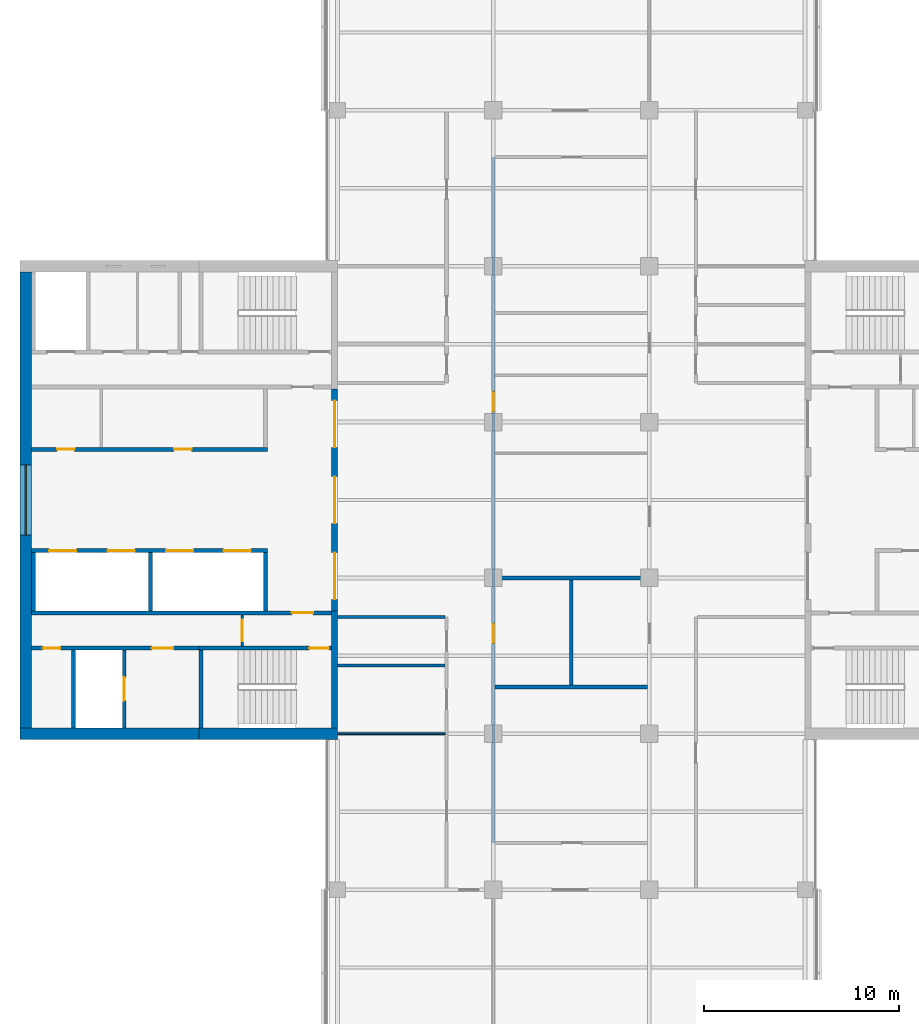
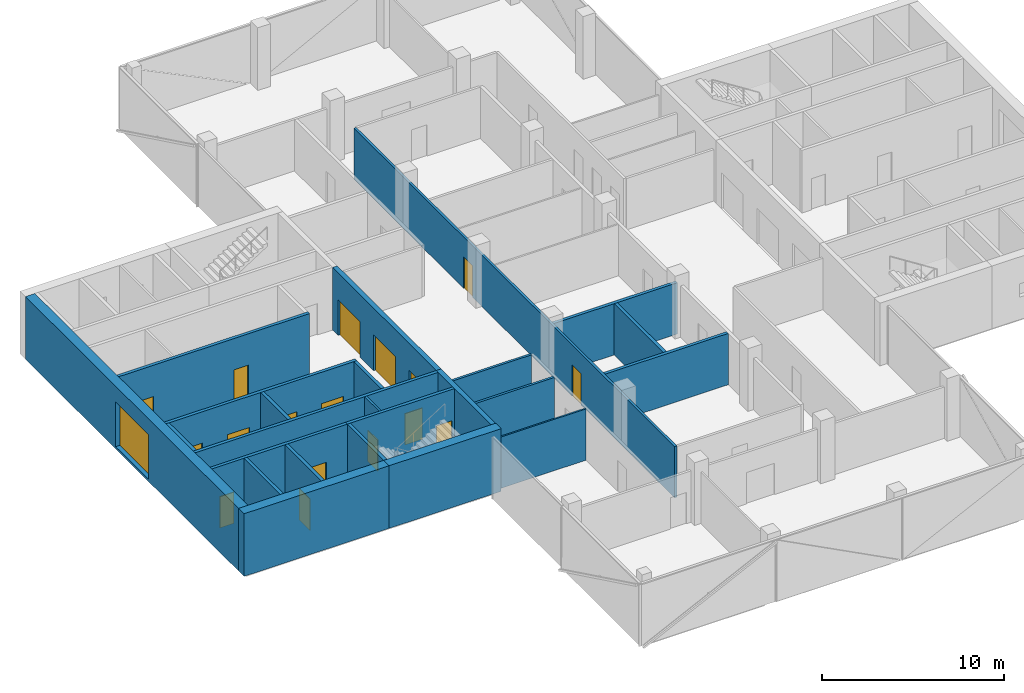
# One storey, part 9 of 15: 24 walls, 17 doors, 1 window, 18 openings.
"""IFC4 building model written with IfcOpenShell, lengths in metres."""

from ifc_helpers import new_model, si_unit, direction, frame, frame_2d, origin, place, context, subcontext, project, spatial, rectangle, extrude, material, layer, layer_set, constituent, constituent_set, type_object, element, fill, save


model = new_model("IFC4")

# Units and contexts
model_context = context("Model", 3, precision=1e-05, world=origin(), true_north=direction((0.0, 1.0)))
body_context = subcontext(model_context, "Body", "Model", "MODEL_VIEW")
ifc_project = project(units=[si_unit("LENGTHUNIT", "METRE"), si_unit("AREAUNIT", "SQUARE_METRE"), si_unit("VOLUMEUNIT", "CUBIC_METRE"), si_unit("PLANEANGLEUNIT", "RADIAN"), si_unit("MASSUNIT", "GRAM", prefix="KILO")], contexts=[model_context])

# Site, building, storey
site_placement = place(None, origin())
site = spatial("IfcSite", under=ifc_project, at=site_placement, CompositionType="ELEMENT")
building_placement = place(site_placement, origin())
building = spatial("IfcBuilding", under=site, at=building_placement, Name="Crosswind Convention Tower", CompositionType="ELEMENT")
storey_placement = place(building_placement, frame((0.0, 0.0, 229.300048828125)))
storey = spatial("IfcBuildingStorey", under=building, at=storey_placement, Name="L49", CompositionType="ELEMENT", Elevation=229.300048828125)

# Walls
ifc_material_1 = material(Name="Concrete blockwork", Category="masonry")
ifc_layer_1 = layer(ifc_material_1, 0.199951171875)
ifc_layer_set_1 = layer_set([ifc_layer_1], Name="COMPARTMENT WALL 200 BLOCKWORK")
wall_type_1 = type_object("IfcWallType", Name="COMPARTMENT WALL 200 BLOCKWORK", PredefinedType="SOLIDWALL", material=ifc_layer_set_1)
wall_1_placement = place(storey_placement, frame((125.0, 90.5, 0.0), z_axis=(0.0, 0.0, 1.0), x_axis=(0.0, 1.0, 0.0)))
element("IfcWall", 1, at=wall_1_placement, inside=storey, type_object=wall_type_1, Name="Compartment wall WT42", PredefinedType="SOLIDWALL", context=body_context, shape_type="SweptSolid", body=[
    extrude(rectangle(XDim=5.39990234375, YDim=0.199951171875, at=frame_2d((2.699951171875, 0.0))), origin(), (0.0, 0.0, 1.0), 3.439697265625),
])
for number, where, z_axis, x_axis, name in (
    (2, (121.074951171875, 90.39990234375, 0.0), (0.0, 0.0, 1.0), (1.0, 0.0, 0.0), "Compartment wall WT42"),
    (3, (121.074951171875, 96.0, 0.0), (0.0, 0.0, 1.0), (1.0, 0.0, 0.0), "Compartment wall WT42"),
):
    element("IfcWall", number, at=place(storey_placement, frame(where, z_axis=z_axis, x_axis=x_axis)), inside=storey, type_object=wall_type_1, Name=name, PredefinedType="SOLIDWALL", context=body_context, shape_type="SweptSolid", body=[
        extrude(rectangle(XDim=7.824951171875, YDim=0.199951171875, at=frame_2d((3.91259765625, 0.0))), origin(), (0.0, 0.0, 1.0), 3.439697265625),
    ])

# Wall, openings, doors
ifc_material_2 = material(Name="Concrete C50/60", Category="concrete")
ifc_layer_2 = layer(ifc_material_2, 0.300048828125)
ifc_layer_set_2 = layer_set([ifc_layer_2], Name="Concrete C50/60")
wall_type_2 = type_object("IfcWallType", Name="Concrete inner core wall 300", PredefinedType="SHEAR", material=ifc_layer_set_2)
wall_2_placement = place(storey_placement, frame((112.85009765625, 105.699951171875, 0.0), z_axis=(0.0, 0.0, 1.0), x_axis=(0.0, -1.0, 0.0)))
wall_2 = element("IfcWall", 4, at=wall_2_placement, inside=storey, type_object=wall_type_2, Name="Wall SCR W L49", PredefinedType="SHEAR", context=body_context, shape_type="SweptSolid", body=[
    extrude(rectangle(XDim=11.39990234375, YDim=0.300048828125, at=frame_2d((5.699951171875, 0.0))), origin(), (0.0, 0.0, 1.0), 4.199951171875),
])
opening_1_placement = place(wall_2_placement, frame((0.60009765625, 0.0, 0.0)))
opening_1 = element("IfcOpeningElement", 5, at=opening_1_placement, cuts=wall_2, Name="Opening D100", PredefinedType="OPENING", context=body_context, shape_type="SweptSolid", body=[
    extrude(rectangle(XDim=2.39990234375, YDim=2.39990234375, at=frame_2d((1.199951171875, 1.199951171875))), frame((0.0, 0.159912109375, 0.0), z_axis=(0.0, -1.0, 0.0), x_axis=(1.0, 0.0, 0.0)), (0.0, 0.0, 1.0), 0.320068359375),
])
opening_2_placement = place(wall_2_placement, frame((4.5, 0.0, 0.0)))
opening_2 = element("IfcOpeningElement", 6, at=opening_2_placement, cuts=wall_2, Name="Opening D100", PredefinedType="OPENING", context=body_context, shape_type="SweptSolid", body=[
    extrude(rectangle(XDim=2.39990234375, YDim=2.39990234375, at=frame_2d((1.199951171875, 1.199951171875))), frame((0.0, 0.159912109375, 0.0), z_axis=(0.0, -1.0, 0.0), x_axis=(1.0, 0.0, 0.0)), (0.0, 0.0, 1.0), 0.320068359375),
])
opening_3_placement = place(wall_2_placement, frame((8.39990234375, 0.0, 0.0)))
opening_3 = element("IfcOpeningElement", 7, at=opening_3_placement, cuts=wall_2, Name="Opening D100", PredefinedType="OPENING", context=body_context, shape_type="SweptSolid", body=[
    extrude(rectangle(XDim=2.39990234375, YDim=2.39990234375, at=frame_2d((1.199951171875, 1.199951171875))), frame((0.0, 0.159912109375, 0.0), z_axis=(0.0, -1.0, 0.0), x_axis=(1.0, 0.0, 0.0)), (0.0, 0.0, 1.0), 0.320068359375),
])
ifc_material_3 = material(Name="Steel fire door with glazed vision panels", Category="steel")
door_type_1 = type_object("IfcDoorType", Name="Fire-rated double door 2400x2400", OperationType="DOUBLE_DOOR_SINGLE_SWING", PredefinedType="DOOR", material=ifc_material_3)
door_1_placement = place(opening_1_placement, origin())
door_1 = element("IfcDoor", 8, at=door_1_placement, inside=storey, type_object=door_type_1, Name="Lobby door 1 L49", ObjectType="D100", OperationType="DOUBLE_DOOR_SINGLE_SWING", OverallHeight=2.39990234375, OverallWidth=2.39990234375, PredefinedType="DOOR", context=body_context, shape_type="SweptSolid", body=[
    extrude(rectangle(XDim=2.39990234375, YDim=2.39990234375, at=frame_2d((1.199951171875, 1.199951171875))), frame((0.0, 0.02490234375, 0.0), z_axis=(0.0, -1.0, 0.0), x_axis=(1.0, 0.0, 0.0)), (0.0, 0.0, 1.0), 0.050048828125),
])
fill(opening_1, door_1)
door_2_placement = place(opening_2_placement, origin())
door_2 = element("IfcDoor", 9, at=door_2_placement, inside=storey, type_object=door_type_1, Name="Lobby door 2 L49", ObjectType="D100", OperationType="DOUBLE_DOOR_SINGLE_SWING", OverallHeight=2.39990234375, OverallWidth=2.39990234375, PredefinedType="DOOR", context=body_context, shape_type="SweptSolid", body=[
    extrude(rectangle(XDim=2.39990234375, YDim=2.39990234375, at=frame_2d((1.199951171875, 1.199951171875))), frame((0.0, 0.02490234375, 0.0), z_axis=(0.0, -1.0, 0.0), x_axis=(1.0, 0.0, 0.0)), (0.0, 0.0, 1.0), 0.050048828125),
])
fill(opening_2, door_2)
door_3_placement = place(opening_3_placement, origin())
door_3 = element("IfcDoor", 10, at=door_3_placement, inside=storey, type_object=door_type_1, Name="Lobby door 3 L49", ObjectType="D100", OperationType="DOUBLE_DOOR_SINGLE_SWING", OverallHeight=2.39990234375, OverallWidth=2.39990234375, PredefinedType="DOOR", context=body_context, shape_type="SweptSolid", body=[
    extrude(rectangle(XDim=2.39990234375, YDim=2.39990234375, at=frame_2d((1.199951171875, 1.199951171875))), frame((0.0, 0.02490234375, 0.0), z_axis=(0.0, -1.0, 0.0), x_axis=(1.0, 0.0, 0.0)), (0.0, 0.0, 1.0), 0.050048828125),
])
fill(opening_3, door_3)

# Walls
wall_3_placement = place(storey_placement, frame((112.85009765625, 94.300048828125, 0.0), z_axis=(0.0, 0.0, 1.0), x_axis=(0.0, -1.0, 0.0)))
element("IfcWall", 11, at=wall_3_placement, inside=storey, type_object=wall_type_2, Name="Wall EP W L49", PredefinedType="SHEAR", context=body_context, shape_type="SweptSolid", body=[
    extrude(rectangle(XDim=6.0, YDim=0.300048828125, at=frame_2d((3.0, 0.0))), origin(), (0.0, 0.0, 1.0), 4.199951171875),
])
ifc_layer_3 = layer(ifc_material_2, 0.199951171875)
ifc_layer_set_3 = layer_set([ifc_layer_3], Name="Concrete C50/60")
wall_type_3 = type_object("IfcWallType", Name="Concrete shaft and stair wall 200", PredefinedType="SHEAR", material=ifc_layer_set_3)
for number, where, z_axis, x_axis, name in (
    (12, (109.300048828125, 97.300048828125, 0.0), (0.0, 0.0, 1.0), (0.0, -1.0, 0.0), "Wall RPEND W L49"),
    (13, (103.39990234375, 97.300048828125, 0.0), (0.0, 0.0, 1.0), (0.0, -1.0, 0.0), "Wall RPSEP W L49"),
    (14, (97.39990234375, 97.300048828125, 0.0), (0.0, 0.0, 1.0), (0.0, -1.0, 0.0), "Wall RPEAST W L49"),
):
    element("IfcWall", number, at=place(storey_placement, frame(where, z_axis=z_axis, x_axis=x_axis)), inside=storey, type_object=wall_type_3, Name=name, PredefinedType="SHEAR", context=body_context, shape_type="SweptSolid", body=[
        extrude(rectangle(XDim=3.0, YDim=0.199951171875, at=frame_2d((1.5, 0.0))), origin(), (0.0, 0.0, 1.0), 4.199951171875),
    ])

# Wall, openings, doors
wall_4_placement = place(storey_placement, frame((109.39990234375, 97.39990234375, 0.0), z_axis=(0.0, 0.0, 1.0), x_axis=(-1.0, 0.0, 0.0)))
wall_4 = element("IfcWall", 15, at=wall_4_placement, inside=storey, type_object=wall_type_3, Name="Wall RPFRONT W L49", PredefinedType="SHEAR", context=body_context, shape_type="SweptSolid", body=[
    extrude(rectangle(XDim=12.099853515625, YDim=0.199951171875, at=frame_2d((6.0498046875, 0.0))), origin(), (0.0, 0.0, 1.0), 4.199951171875),
])
opening_4_placement = place(wall_4_placement, frame((0.85009765625, 0.0, 0.0)))
opening_4 = element("IfcOpeningElement", 16, at=opening_4_placement, cuts=wall_4, Name="Opening LD2", PredefinedType="OPENING", context=body_context, shape_type="SweptSolid", body=[
    extrude(rectangle(XDim=1.39990234375, YDim=2.10009765625, at=frame_2d((0.699951171875, 1.050048828125))), frame((0.0, 0.10986328125, 0.0), z_axis=(0.0, -1.0, 0.0), x_axis=(1.0, 0.0, 0.0)), (0.0, 0.0, 1.0), 0.219970703125),
])
opening_5_placement = place(wall_4_placement, frame((3.800048828125, 0.0, 0.0)))
opening_5 = element("IfcOpeningElement", 17, at=opening_5_placement, cuts=wall_4, Name="Opening LD2", PredefinedType="OPENING", context=body_context, shape_type="SweptSolid", body=[
    extrude(rectangle(XDim=1.39990234375, YDim=2.10009765625, at=frame_2d((0.699951171875, 1.050048828125))), frame((0.0, 0.10986328125, 0.0), z_axis=(0.0, -1.0, 0.0), x_axis=(1.0, 0.0, 0.0)), (0.0, 0.0, 1.0), 0.219970703125),
])
opening_6_placement = place(wall_4_placement, frame((6.800048828125, 0.0, 0.0)))
opening_6 = element("IfcOpeningElement", 18, at=opening_6_placement, cuts=wall_4, Name="Opening LD2", PredefinedType="OPENING", context=body_context, shape_type="SweptSolid", body=[
    extrude(rectangle(XDim=1.39990234375, YDim=2.10009765625, at=frame_2d((0.699951171875, 1.050048828125))), frame((0.0, 0.10986328125, 0.0), z_axis=(0.0, -1.0, 0.0), x_axis=(1.0, 0.0, 0.0)), (0.0, 0.0, 1.0), 0.219970703125),
])
opening_7_placement = place(wall_4_placement, frame((9.800048828125, 0.0, 0.0)))
opening_7 = element("IfcOpeningElement", 19, at=opening_7_placement, cuts=wall_4, Name="Opening LD2", PredefinedType="OPENING", context=body_context, shape_type="SweptSolid", body=[
    extrude(rectangle(XDim=1.39990234375, YDim=2.10009765625, at=frame_2d((0.699951171875, 1.050048828125))), frame((0.0, 0.10986328125, 0.0), z_axis=(0.0, -1.0, 0.0), x_axis=(1.0, 0.0, 0.0)), (0.0, 0.0, 1.0), 0.219970703125),
])
ifc_material_4 = material(Name="Stainless steel", Category="steel")
door_type_2 = type_object("IfcDoorType", Name="Lift landing door 1400x2100", OperationType="DOUBLE_DOOR_SLIDING", PredefinedType="DOOR", material=ifc_material_4)
door_4_placement = place(opening_4_placement, origin())
door_4 = element("IfcDoor", 20, at=door_4_placement, inside=storey, type_object=door_type_2, Name="Landing door HR1 L49", ObjectType="LD2", OperationType="DOUBLE_DOOR_SLIDING", OverallHeight=2.10009765625, OverallWidth=1.39990234375, PredefinedType="DOOR", context=body_context, shape_type="SweptSolid", body=[
    extrude(rectangle(XDim=1.39990234375, YDim=2.10009765625, at=frame_2d((0.699951171875, 1.050048828125))), frame((0.0, 0.02490234375, 0.0), z_axis=(0.0, -1.0, 0.0), x_axis=(1.0, 0.0, 0.0)), (0.0, 0.0, 1.0), 0.050048828125),
])
fill(opening_4, door_4)
door_5_placement = place(opening_5_placement, origin())
door_5 = element("IfcDoor", 21, at=door_5_placement, inside=storey, type_object=door_type_2, Name="Landing door HR2 L49", ObjectType="LD2", OperationType="DOUBLE_DOOR_SLIDING", OverallHeight=2.10009765625, OverallWidth=1.39990234375, PredefinedType="DOOR", context=body_context, shape_type="SweptSolid", body=[
    extrude(rectangle(XDim=1.39990234375, YDim=2.10009765625, at=frame_2d((0.699951171875, 1.050048828125))), frame((0.0, 0.02490234375, 0.0), z_axis=(0.0, -1.0, 0.0), x_axis=(1.0, 0.0, 0.0)), (0.0, 0.0, 1.0), 0.050048828125),
])
fill(opening_5, door_5)
door_6_placement = place(opening_6_placement, origin())
door_6 = element("IfcDoor", 22, at=door_6_placement, inside=storey, type_object=door_type_2, Name="Landing door HR3 L49", ObjectType="LD2", OperationType="DOUBLE_DOOR_SLIDING", OverallHeight=2.10009765625, OverallWidth=1.39990234375, PredefinedType="DOOR", context=body_context, shape_type="SweptSolid", body=[
    extrude(rectangle(XDim=1.39990234375, YDim=2.10009765625, at=frame_2d((0.699951171875, 1.050048828125))), frame((0.0, 0.02490234375, 0.0), z_axis=(0.0, -1.0, 0.0), x_axis=(1.0, 0.0, 0.0)), (0.0, 0.0, 1.0), 0.050048828125),
])
fill(opening_6, door_6)
door_7_placement = place(opening_7_placement, origin())
door_7 = element("IfcDoor", 23, at=door_7_placement, inside=storey, type_object=door_type_2, Name="Landing door HR4 L49", ObjectType="LD2", OperationType="DOUBLE_DOOR_SLIDING", OverallHeight=2.10009765625, OverallWidth=1.39990234375, PredefinedType="DOOR", context=body_context, shape_type="SweptSolid", body=[
    extrude(rectangle(XDim=1.39990234375, YDim=2.10009765625, at=frame_2d((0.699951171875, 1.050048828125))), frame((0.0, 0.02490234375, 0.0), z_axis=(0.0, -1.0, 0.0), x_axis=(1.0, 0.0, 0.0)), (0.0, 0.0, 1.0), 0.050048828125),
])
fill(opening_7, door_7)

wall_5_placement = place(storey_placement, frame((109.39990234375, 102.60009765625, 0.0), z_axis=(0.0, 0.0, 1.0), x_axis=(-1.0, 0.0, 0.0)))
wall_5 = element("IfcWall", 24, at=wall_5_placement, inside=storey, type_object=wall_type_3, Name="Wall RMFRONT W L49", PredefinedType="SHEAR", context=body_context, shape_type="SweptSolid", body=[
    extrude(rectangle(XDim=12.099853515625, YDim=0.199951171875, at=frame_2d((6.0498046875, 0.0))), origin(), (0.0, 0.0, 1.0), 4.199951171875),
])
opening_8_placement = place(wall_5_placement, frame((3.8837890625, 0.0, 0.0)))
opening_8 = element("IfcOpeningElement", 25, at=opening_8_placement, cuts=wall_5, Name="Opening D106", PredefinedType="OPENING", context=body_context, shape_type="SweptSolid", body=[
    extrude(rectangle(XDim=0.89990234375, YDim=2.10009765625, at=frame_2d((0.449951171875, 1.050048828125))), frame((0.0, 0.10986328125, 0.0), z_axis=(0.0, -1.0, 0.0), x_axis=(1.0, 0.0, 0.0)), (0.0, 0.0, 1.0), 0.219970703125),
])
opening_9_placement = place(wall_5_placement, frame((9.896240234375, 0.0, 0.0)))
opening_9 = element("IfcOpeningElement", 26, at=opening_9_placement, cuts=wall_5, Name="Opening D106", PredefinedType="OPENING", context=body_context, shape_type="SweptSolid", body=[
    extrude(rectangle(XDim=0.89990234375, YDim=2.10009765625, at=frame_2d((0.449951171875, 1.050048828125))), frame((0.0, 0.10986328125, 0.0), z_axis=(0.0, -1.0, 0.0), x_axis=(1.0, 0.0, 0.0)), (0.0, 0.0, 1.0), 0.219970703125),
])
ifc_material_5 = material(Name="Timber door", Category="wood")
door_type_3 = type_object("IfcDoorType", Name="Single leaf door 900x2100", OperationType="NOTDEFINED", PredefinedType="DOOR", material=ifc_material_5)
door_8_placement = place(opening_8_placement, frame((0.89990234375, 0.0, 0.0), z_axis=(0.0, 0.0, 1.0), x_axis=(-1.0, 0.0, 0.0)))
door_8 = element("IfcDoor", 27, at=door_8_placement, inside=storey, type_object=door_type_3, Name="Door to pantry L49", ObjectType="D106", OperationType="SINGLE_SWING_LEFT", OverallHeight=2.10009765625, OverallWidth=0.89990234375, PredefinedType="DOOR", context=body_context, shape_type="SweptSolid", body=[
    extrude(rectangle(XDim=0.89990234375, YDim=2.10009765625, at=frame_2d((0.449951171875, 1.050048828125))), frame((0.0, 0.02490234375, 0.0), z_axis=(0.0, -1.0, 0.0), x_axis=(1.0, 0.0, 0.0)), (0.0, 0.0, 1.0), 0.050048828125),
])
fill(opening_8, door_8)
door_9_placement = place(opening_9_placement, frame((0.89990234375, 0.0, 0.0), z_axis=(0.0, 0.0, 1.0), x_axis=(-1.0, 0.0, 0.0)))
door_9 = element("IfcDoor", 28, at=door_9_placement, inside=storey, type_object=door_type_3, Name="Door to telecoms room L49", ObjectType="D106", OperationType="SINGLE_SWING_LEFT", OverallHeight=2.10009765625, OverallWidth=0.89990234375, PredefinedType="DOOR", context=body_context, shape_type="SweptSolid", body=[
    extrude(rectangle(XDim=0.89990234375, YDim=2.10009765625, at=frame_2d((0.449951171875, 1.050048828125))), frame((0.0, 0.02490234375, 0.0), z_axis=(0.0, -1.0, 0.0), x_axis=(1.0, 0.0, 0.0)), (0.0, 0.0, 1.0), 0.050048828125),
])
fill(opening_9, door_9)

# Wall, opening, door
wall_6_placement = place(storey_placement, frame((112.699951171875, 94.199951171875, 0.0), z_axis=(0.0, 0.0, 1.0), x_axis=(-1.0, 0.0, 0.0)))
wall_6 = element("IfcWall", 29, at=wall_6_placement, inside=storey, type_object=wall_type_3, Name="Wall HP W L49", PredefinedType="SHEAR", context=body_context, shape_type="SweptSolid", body=[
    extrude(rectangle(XDim=15.39990234375, YDim=0.199951171875, at=frame_2d((7.699951171875, 0.0))), origin(), (0.0, 0.0, 1.0), 4.199951171875),
])
opening_10_placement = place(wall_6_placement, frame((0.949951171875, 0.0, 0.0)))
opening_10 = element("IfcOpeningElement", 30, at=opening_10_placement, cuts=wall_6, Name="Opening D104", PredefinedType="OPENING", context=body_context, shape_type="SweptSolid", body=[
    extrude(rectangle(XDim=1.10009765625, YDim=2.10009765625, at=frame_2d((0.550048828125, 1.050048828125))), frame((0.0, 0.10986328125, 0.0), z_axis=(0.0, -1.0, 0.0), x_axis=(1.0, 0.0, 0.0)), (0.0, 0.0, 1.0), 0.219970703125),
])
ifc_material_6 = material(Name="Steel fire door", Category="steel")
door_type_4 = type_object("IfcDoorType", Name="Fire-rated single door 1100x2100", OperationType="NOTDEFINED", PredefinedType="DOOR", material=ifc_material_6)
door_10_placement = place(opening_10_placement, origin())
door_10 = element("IfcDoor", 31, at=door_10_placement, inside=storey, type_object=door_type_4, Name="Corridor door L49", ObjectType="D104", OperationType="SINGLE_SWING_LEFT", OverallHeight=2.10009765625, OverallWidth=1.10009765625, PredefinedType="DOOR", context=body_context, shape_type="SweptSolid", body=[
    extrude(rectangle(XDim=1.10009765625, YDim=2.10009765625, at=frame_2d((0.550048828125, 1.050048828125))), frame((0.0, 0.02490234375, 0.0), z_axis=(0.0, -1.0, 0.0), x_axis=(1.0, 0.0, 0.0)), (0.0, 0.0, 1.0), 0.050048828125),
])
fill(opening_10, door_10)

# Wall
wall_7_placement = place(storey_placement, frame((106.0, 92.300048828125, 0.0), z_axis=(0.0, 0.0, 1.0), x_axis=(0.0, -1.0, 0.0)))
element("IfcWall", 32, at=wall_7_placement, inside=storey, type_object=wall_type_3, Name="Wall PSE W L49", PredefinedType="SHEAR", context=body_context, shape_type="SweptSolid", body=[
    extrude(rectangle(XDim=4.0, YDim=0.199951171875, at=frame_2d((2.0, 0.0))), origin(), (0.0, 0.0, 1.0), 4.199951171875),
])

# Wall, opening, door
wall_8_placement = place(storey_placement, frame((102.050048828125, 92.300048828125, 0.0), z_axis=(0.0, 0.0, 1.0), x_axis=(0.0, -1.0, 0.0)))
wall_8 = element("IfcWall", 33, at=wall_8_placement, inside=storey, type_object=wall_type_3, Name="Wall PFLW W L49", PredefinedType="SHEAR", context=body_context, shape_type="SweptSolid", body=[
    extrude(rectangle(XDim=4.0, YDim=0.199951171875, at=frame_2d((2.0, 0.0))), origin(), (0.0, 0.0, 1.0), 4.199951171875),
])
opening_11_placement = place(wall_8_placement, frame((1.39990234375, 0.0, 0.0)))
opening_11 = element("IfcOpeningElement", 34, at=opening_11_placement, cuts=wall_8, Name="Opening LD1", PredefinedType="OPENING", context=body_context, shape_type="SweptSolid", body=[
    extrude(rectangle(XDim=1.199951171875, YDim=2.10009765625, at=frame_2d((0.60009765625, 1.050048828125))), frame((0.0, 0.10986328125, 0.0), z_axis=(0.0, -1.0, 0.0), x_axis=(1.0, 0.0, 0.0)), (0.0, 0.0, 1.0), 0.219970703125),
])
door_type_5 = type_object("IfcDoorType", Name="Lift landing door 1200x2100", OperationType="DOUBLE_DOOR_SLIDING", PredefinedType="DOOR", material=ifc_material_4)
door_11_placement = place(opening_11_placement, origin())
door_11 = element("IfcDoor", 35, at=door_11_placement, inside=storey, type_object=door_type_5, Name="Landing door FF2 L49", ObjectType="LD1", OperationType="DOUBLE_DOOR_SLIDING", OverallHeight=2.10009765625, OverallWidth=1.199951171875, PredefinedType="DOOR", context=body_context, shape_type="SweptSolid", body=[
    extrude(rectangle(XDim=1.199951171875, YDim=2.10009765625, at=frame_2d((0.60009765625, 1.050048828125))), frame((0.0, 0.02490234375, 0.0), z_axis=(0.0, -1.0, 0.0), x_axis=(1.0, 0.0, 0.0)), (0.0, 0.0, 1.0), 0.050048828125),
])
fill(opening_11, door_11)

# Wall
wall_9_placement = place(storey_placement, frame((99.449951171875, 92.300048828125, 0.0), z_axis=(0.0, 0.0, 1.0), x_axis=(0.0, -1.0, 0.0)))
element("IfcWall", 36, at=wall_9_placement, inside=storey, type_object=wall_type_3, Name="Wall PFSE W L49", PredefinedType="SHEAR", context=body_context, shape_type="SweptSolid", body=[
    extrude(rectangle(XDim=4.0, YDim=0.199951171875, at=frame_2d((2.0, 0.0))), origin(), (0.0, 0.0, 1.0), 4.199951171875),
])

# Wall, opening, door
wall_10_placement = place(storey_placement, frame((112.699951171875, 92.39990234375, 0.0), z_axis=(0.0, 0.0, 1.0), x_axis=(-1.0, 0.0, 0.0)))
wall_10 = element("IfcWall", 37, at=wall_10_placement, inside=storey, type_object=wall_type_3, Name="Wall PCW W L49", PredefinedType="SHEAR", context=body_context, shape_type="SweptSolid", body=[
    extrude(rectangle(XDim=6.800048828125, YDim=0.199951171875, at=frame_2d((3.39990234375, 0.0))), origin(), (0.0, 0.0, 1.0), 4.199951171875),
])
opening_12_placement = place(wall_10_placement, frame((0.14990234375, 0.0, 0.0)))
opening_12 = element("IfcOpeningElement", 38, at=opening_12_placement, cuts=wall_10, Name="Opening D103", PredefinedType="OPENING", context=body_context, shape_type="SweptSolid", body=[
    extrude(rectangle(XDim=1.0, YDim=2.10009765625, at=frame_2d((0.5, 1.050048828125))), frame((0.0, 0.10986328125, 0.0), z_axis=(0.0, -1.0, 0.0), x_axis=(1.0, 0.0, 0.0)), (0.0, 0.0, 1.0), 0.219970703125),
])
door_type_6 = type_object("IfcDoorType", Name="Fire-rated single door 1000x2100", OperationType="NOTDEFINED", PredefinedType="DOOR", material=ifc_material_6)
door_12_placement = place(opening_12_placement, origin())
door_12 = element("IfcDoor", 39, at=door_12_placement, inside=storey, type_object=door_type_6, Name="Stair ST3 door L49", ObjectType="D103", OperationType="SINGLE_SWING_LEFT", OverallHeight=2.10009765625, OverallWidth=1.0, PredefinedType="DOOR", context=body_context, shape_type="SweptSolid", body=[
    extrude(rectangle(XDim=1.0, YDim=2.10009765625, at=frame_2d((0.5, 1.050048828125))), frame((0.0, 0.02490234375, 0.0), z_axis=(0.0, -1.0, 0.0), x_axis=(1.0, 0.0, 0.0)), (0.0, 0.0, 1.0), 0.050048828125),
])
fill(opening_12, door_12)

# Wall, openings, doors
wall_11_placement = place(storey_placement, frame((105.89990234375, 92.39990234375, 0.0), z_axis=(0.0, 0.0, 1.0), x_axis=(-1.0, 0.0, 0.0)))
wall_11 = element("IfcWall", 40, at=wall_11_placement, inside=storey, type_object=wall_type_3, Name="Wall PCX W L49", PredefinedType="SHEAR", context=body_context, shape_type="SweptSolid", body=[
    extrude(rectangle(XDim=8.599853515625, YDim=0.199951171875, at=frame_2d((4.2998046875, 0.0))), origin(), (0.0, 0.0, 1.0), 4.199951171875),
])
opening_13_placement = place(wall_11_placement, frame((1.324951171875, 0.0, 0.0)))
opening_13 = element("IfcOpeningElement", 41, at=opening_13_placement, cuts=wall_11, Name="Opening D104", PredefinedType="OPENING", context=body_context, shape_type="SweptSolid", body=[
    extrude(rectangle(XDim=1.10009765625, YDim=2.10009765625, at=frame_2d((0.550048828125, 1.050048828125))), frame((0.0, 0.10986328125, 0.0), z_axis=(0.0, -1.0, 0.0), x_axis=(1.0, 0.0, 0.0)), (0.0, 0.0, 1.0), 0.219970703125),
])
opening_14_placement = place(wall_11_placement, frame((7.125, 0.0, 0.0)))
opening_14 = element("IfcOpeningElement", 42, at=opening_14_placement, cuts=wall_11, Name="Opening D106", PredefinedType="OPENING", context=body_context, shape_type="SweptSolid", body=[
    extrude(rectangle(XDim=0.89990234375, YDim=2.10009765625, at=frame_2d((0.449951171875, 1.050048828125))), frame((0.0, 0.10986328125, 0.0), z_axis=(0.0, -1.0, 0.0), x_axis=(1.0, 0.0, 0.0)), (0.0, 0.0, 1.0), 0.219970703125),
])
door_13_placement = place(opening_13_placement, origin())
door_13 = element("IfcDoor", 43, at=door_13_placement, inside=storey, type_object=door_type_4, Name="Fire-fighting lobby FF2 door L49", ObjectType="D104", OperationType="SINGLE_SWING_RIGHT", OverallHeight=2.10009765625, OverallWidth=1.10009765625, PredefinedType="DOOR", context=body_context, shape_type="SweptSolid", body=[
    extrude(rectangle(XDim=1.10009765625, YDim=2.10009765625, at=frame_2d((0.550048828125, 1.050048828125))), frame((0.0, 0.02490234375, 0.0), z_axis=(0.0, -1.0, 0.0), x_axis=(1.0, 0.0, 0.0)), (0.0, 0.0, 1.0), 0.050048828125),
])
fill(opening_13, door_13)
door_14_placement = place(opening_14_placement, origin())
door_14 = element("IfcDoor", 44, at=door_14_placement, inside=storey, type_object=door_type_3, Name="Door to cleaners' store L49", ObjectType="D106", OperationType="SINGLE_SWING_RIGHT", OverallHeight=2.10009765625, OverallWidth=0.89990234375, PredefinedType="DOOR", context=body_context, shape_type="SweptSolid", body=[
    extrude(rectangle(XDim=0.89990234375, YDim=2.10009765625, at=frame_2d((0.449951171875, 1.050048828125))), frame((0.0, 0.02490234375, 0.0), z_axis=(0.0, -1.0, 0.0), x_axis=(1.0, 0.0, 0.0)), (0.0, 0.0, 1.0), 0.050048828125),
])
fill(opening_14, door_14)

# Wall, opening, door
ifc_material_7 = material(Name="Gypsum plasterboard partition", Category="gypsum")
ifc_layer_4 = layer(ifc_material_7, 0.125)
ifc_layer_set_4 = layer_set([ifc_layer_4], Name="Drywall partition wall 125")
wall_type_4 = type_object("IfcWallType", Name="Drywall partition wall 125", PredefinedType="PARTITIONING", material=ifc_layer_set_4)
wall_12_placement = place(storey_placement, frame((108.10009765625, 94.10009765625, 0.0), z_axis=(0.0, 0.0, 1.0), x_axis=(0.0, -1.0, 0.0)))
wall_12 = element("IfcWall", 45, at=wall_12_placement, inside=storey, type_object=wall_type_4, Name="Wall PXC1 W L49", PredefinedType="PARTITIONING", context=body_context, shape_type="SweptSolid", body=[
    extrude(rectangle(XDim=1.60009765625, YDim=0.125, at=frame_2d((0.800048828125, 0.0))), origin(), (0.0, 0.0, 1.0), 4.199951171875),
])
opening_15_placement = place(wall_12_placement, frame((0.25, 0.0, 0.0)))
opening_15 = element("IfcOpeningElement", 46, at=opening_15_placement, cuts=wall_12, Name="Opening D104", PredefinedType="OPENING", context=body_context, shape_type="SweptSolid", body=[
    extrude(rectangle(XDim=1.10009765625, YDim=2.10009765625, at=frame_2d((0.550048828125, 1.050048828125))), frame((0.0, 0.072509765625, 0.0), z_axis=(0.0, -1.0, 0.0), x_axis=(1.0, 0.0, 0.0)), (0.0, 0.0, 1.0), 0.14501953125),
])
door_15_placement = place(opening_15_placement, origin())
door_15 = element("IfcDoor", 47, at=door_15_placement, inside=storey, type_object=door_type_4, Name="Corridor smoke door L49", ObjectType="D104", OperationType="SINGLE_SWING_RIGHT", OverallHeight=2.10009765625, OverallWidth=1.10009765625, PredefinedType="DOOR", context=body_context, shape_type="SweptSolid", body=[
    extrude(rectangle(XDim=1.10009765625, YDim=2.10009765625, at=frame_2d((0.550048828125, 1.050048828125))), frame((0.0, 0.02490234375, 0.0), z_axis=(0.0, -1.0, 0.0), x_axis=(1.0, 0.0, 0.0)), (0.0, 0.0, 1.0), 0.050048828125),
])
fill(opening_15, door_15)

# Wall
ifc_material_8 = material(Name="Plasterboard partition", Category="gypsum")
ifc_layer_5 = layer(ifc_material_8, 0.10009765625)
ifc_layer_set_5 = layer_set([ifc_layer_5], Name="PARTITION 100 METAL STUD")
wall_type_5 = type_object("IfcWallType", Name="PARTITION 100 METAL STUD", PredefinedType="PARTITIONING", material=ifc_layer_set_5)
wall_13_placement = place(storey_placement, frame((113.0, 88.0, 0.0), z_axis=(0.0, 0.0, 1.0), x_axis=(1.0, 0.0, 0.0)))
element("IfcWall", 48, at=wall_13_placement, inside=storey, type_object=wall_type_5, Name="Partition wall WT40", PredefinedType="PARTITIONING", context=body_context, shape_type="SweptSolid", body=[
    extrude(rectangle(XDim=5.52490234375, YDim=0.10009765625, at=frame_2d((2.762451171875, 0.0))), origin(), (0.0, 0.0, 1.0), 3.439697265625),
])

# Wall, openings, doors
ifc_material_9 = material(Name="Fire-board partition with mineral wool", Category="gypsum")
ifc_layer_6 = layer(ifc_material_9, 0.14990234375)
ifc_layer_set_6 = layer_set([ifc_layer_6], Name="TENANCY WALL 150 TWO-HOUR BOARD")
wall_type_6 = type_object("IfcWallType", Name="TENANCY WALL 150 TWO-HOUR BOARD", PredefinedType="PARTITIONING", material=ifc_layer_set_6)
wall_14_placement = place(storey_placement, frame((121.0, 82.39990234375, 0.0), z_axis=(0.0, 0.0, 1.0), x_axis=(0.0, 1.0, 0.0)))
wall_14 = element("IfcWall", 49, at=wall_14_placement, inside=storey, type_object=wall_type_6, Name="Tenancy wall WT41", PredefinedType="PARTITIONING", context=body_context, shape_type="SweptSolid", body=[
    extrude(rectangle(XDim=35.2001953125, YDim=0.14990234375, at=frame_2d((17.60009765625, 0.0))), origin(), (0.0, 0.0, 1.0), 3.439697265625),
])
opening_16_placement = place(wall_14_placement, frame((10.25, 0.0, 0.0)))
opening_16 = element("IfcOpeningElement", 50, at=opening_16_placement, cuts=wall_14, Name="Opening L49-65", PredefinedType="OPENING", context=body_context, shape_type="SweptSolid", body=[
    extrude(rectangle(XDim=1.0, YDim=2.10009765625, at=frame_2d((0.5, 1.050048828125))), frame((0.0, 0.0849609375, 0.0), z_axis=(0.0, -1.0, 0.0), x_axis=(1.0, 0.0, 0.0)), (0.0, 0.0, 1.0), 0.169921875),
])
opening_17_placement = place(wall_14_placement, frame((22.14990234375, 0.0, 0.0)))
opening_17 = element("IfcOpeningElement", 51, at=opening_17_placement, cuts=wall_14, Name="Opening L49-68", PredefinedType="OPENING", context=body_context, shape_type="SweptSolid", body=[
    extrude(rectangle(XDim=1.0, YDim=2.10009765625, at=frame_2d((0.5, 1.050048828125))), frame((0.0, 0.0849609375, 0.0), z_axis=(0.0, -1.0, 0.0), x_axis=(1.0, 0.0, 0.0)), (0.0, 0.0, 1.0), 0.169921875),
])
ifc_material_10 = material(Name="Timber fire door", Category="wood")
door_type_7 = type_object("IfcDoorType", Name="TENANCY ENTRANCE DOOR 1000X2100 FD30S", OperationType="NOTDEFINED", PredefinedType="DOOR", material=ifc_material_10)
door_16_placement = place(opening_16_placement, frame((1.0, 0.0, 0.0), z_axis=(0.0, 0.0, 1.0), x_axis=(-1.0, 0.0, 0.0)))
door_16 = element("IfcDoor", 52, at=door_16_placement, inside=storey, type_object=door_type_7, Name="Door L49-65", ObjectType="D41", OperationType="SINGLE_SWING_LEFT", OverallHeight=2.10009765625, OverallWidth=1.0, PredefinedType="DOOR", context=body_context, shape_type="SweptSolid", body=[
    extrude(rectangle(XDim=1.0, YDim=2.10009765625, at=frame_2d((0.5, 1.050048828125))), frame((0.0, 0.02490234375, 0.0), z_axis=(0.0, -1.0, 0.0), x_axis=(1.0, 0.0, 0.0)), (0.0, 0.0, 1.0), 0.050048828125),
])
fill(opening_16, door_16)
door_17_placement = place(opening_17_placement, frame((1.0, 0.0, 0.0), z_axis=(0.0, 0.0, 1.0), x_axis=(-1.0, 0.0, 0.0)))
door_17 = element("IfcDoor", 53, at=door_17_placement, inside=storey, type_object=door_type_7, Name="Door L49-68", ObjectType="D41", OperationType="SINGLE_SWING_RIGHT", OverallHeight=2.10009765625, OverallWidth=1.0, PredefinedType="DOOR", context=body_context, shape_type="SweptSolid", body=[
    extrude(rectangle(XDim=1.0, YDim=2.10009765625, at=frame_2d((0.5, 1.050048828125))), frame((0.0, 0.02490234375, 0.0), z_axis=(0.0, -1.0, 0.0), x_axis=(1.0, 0.0, 0.0)), (0.0, 0.0, 1.0), 0.050048828125),
])
fill(opening_17, door_17)

# Walls
for number, where, z_axis, x_axis, name in (
    (54, (113.0, 91.5, 0.0), (0.0, 0.0, 1.0), (1.0, 0.0, 0.0), "Tenancy wall WT41"),
    (55, (113.0, 94.0, 0.0), (0.0, 0.0, 1.0), (1.0, 0.0, 0.0), "Tenancy wall WT41"),
):
    element("IfcWall", number, at=place(storey_placement, frame(where, z_axis=z_axis, x_axis=x_axis)), inside=storey, type_object=wall_type_6, Name=name, PredefinedType="PARTITIONING", context=body_context, shape_type="SweptSolid", body=[
        extrude(rectangle(XDim=5.52490234375, YDim=0.14990234375, at=frame_2d((2.762451171875, 0.0))), origin(), (0.0, 0.0, 1.0), 3.439697265625),
    ])
ifc_material_11 = material(Name="Concrete C60/75", Category="concrete")
ifc_constituent_1 = constituent(ifc_material_11, Name="Structure")
ifc_material_12 = material(Name="Terracotta rainscreen", Category="ceramic")
ifc_constituent_2 = constituent(ifc_material_12, Name="Facing")
ifc_constituent_set = constituent_set(constituents=[ifc_constituent_1, ifc_constituent_2], Name="Concrete C60/75, Terracotta rainscreen")
wall_type_7 = type_object("IfcWallType", Name="Terracotta rainscreen on concrete core wall 600", PredefinedType="SHEAR", material=ifc_constituent_set)
wall_15_placement = place(storey_placement, frame((113.0, 88.0, 0.0), z_axis=(0.0, 0.0, 1.0), x_axis=(-1.0, 0.0, 0.0)))
element("IfcWall", 56, at=wall_15_placement, inside=storey, type_object=wall_type_7, Name="Wall N1 W L49", PredefinedType="SHEAR", context=body_context, shape_type="SweptSolid", body=[
    extrude(rectangle(XDim=7.10009765625, YDim=0.60009765625, at=frame_2d((3.550048828125, 0.0))), origin(), (0.0, 0.0, 1.0), 4.199951171875),
])
wall_16_placement = place(storey_placement, frame((105.89990234375, 88.0, 0.0), z_axis=(0.0, 0.0, 1.0), x_axis=(-1.0, 0.0, 0.0)))
element("IfcWall", 57, at=wall_16_placement, inside=storey, type_object=wall_type_7, Name="Wall N2 W L49", PredefinedType="SHEAR", context=body_context, shape_type="SweptSolid", body=[
    extrude(rectangle(XDim=9.199951171875, YDim=0.60009765625, at=frame_2d((4.60009765625, 0.0))), origin(), (0.0, 0.0, 1.0), 4.199951171875),
])

# Wall, opening, window
wall_17_placement = place(storey_placement, frame((97.0, 111.699951171875, 0.0), z_axis=(0.0, 0.0, 1.0), x_axis=(0.0, -1.0, 0.0)))
wall_17 = element("IfcWall", 58, at=wall_17_placement, inside=storey, type_object=wall_type_7, Name="Wall O W L49", PredefinedType="SHEAR", context=body_context, shape_type="SweptSolid", body=[
    extrude(rectangle(XDim=23.39990234375, YDim=0.60009765625, at=frame_2d((11.699951171875, 0.0))), origin(), (0.0, 0.0, 1.0), 4.199951171875),
])
opening_18_placement = place(wall_17_placement, frame((9.89990234375, 0.0, 0.14990234375)))
opening_18 = element("IfcOpeningElement", 59, at=opening_18_placement, cuts=wall_17, Name="Opening W1", PredefinedType="OPENING", context=body_context, shape_type="SweptSolid", body=[
    extrude(rectangle(XDim=3.60009765625, YDim=3.0, at=frame_2d((1.800048828125, 1.5))), frame((0.0, 0.31005859375, 0.0), z_axis=(0.0, -1.0, 0.0), x_axis=(1.0, 0.0, 0.0)), (0.0, 0.0, 1.0), 0.6201171875),
])
ifc_material_13 = material(Name="Clear laminated glass in aluminium frame", Category="aluminium")
window_type = type_object("IfcWindowType", Name="Lobby end window 3600x3000", PartitioningType="SINGLE_PANEL", PredefinedType="WINDOW", material=ifc_material_13)
window_placement = place(opening_18_placement, origin())
window = element("IfcWindow", 60, at=window_placement, inside=storey, type_object=window_type, Name="Lobby end window L49", ObjectType="W1", OverallHeight=3.0, OverallWidth=3.60009765625, PartitioningType="SINGLE_PANEL", PredefinedType="WINDOW", context=body_context, shape_type="SweptSolid", body=[
    extrude(rectangle(XDim=3.60009765625, YDim=3.0, at=frame_2d((1.800048828125, 1.5))), frame((0.0, 0.030029296875, 0.0), z_axis=(0.0, -1.0, 0.0), x_axis=(1.0, 0.0, 0.0)), (0.0, 0.0, 1.0), 0.06005859375),
])
fill(opening_18, window)

save(model, "model.ifc")
